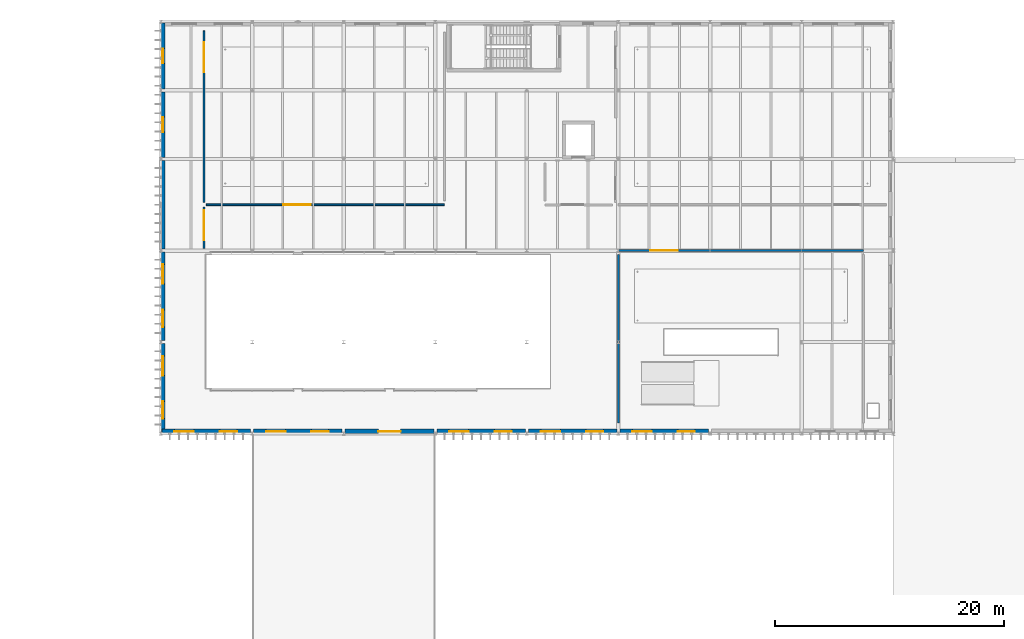
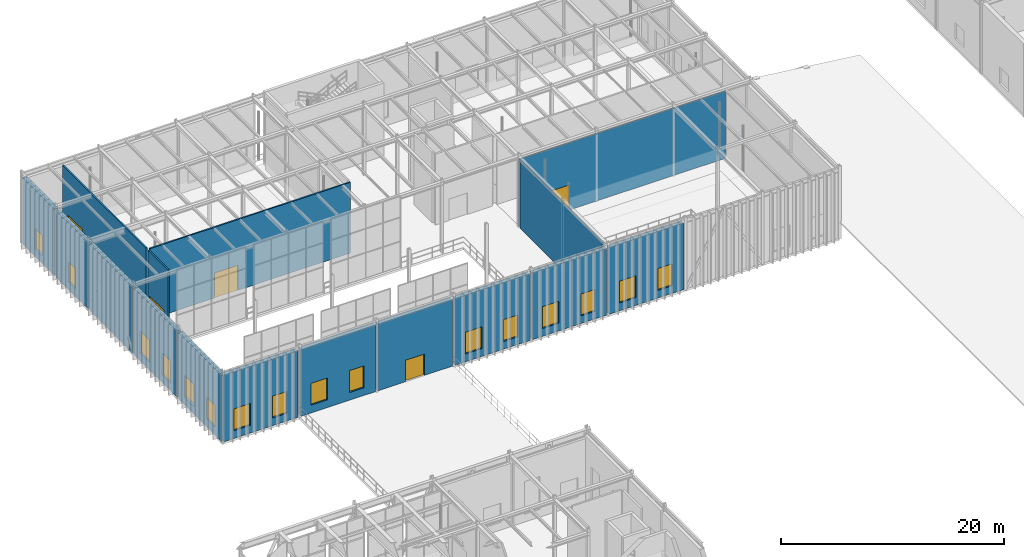
# One storey, part 92 of 138: 16 walls, 16 windows, 5 doors, 21 openings.
"""IFC4 building model written with IfcOpenShell, lengths in metres."""

from ifc_helpers import new_model, si_unit, direction, frame, frame_2d, origin, place, context, subcontext, project, spatial, rectangle, extrude, material, layer, layer_set, type_object, element, fill, save


model = new_model("IFC4")

# Units and contexts
model_context = context("Model", 3, precision=1e-05, world=origin(), true_north=direction((0.0, 1.0)))
body_context = subcontext(model_context, "Body", "Model", "MODEL_VIEW")
ifc_project = project(units=[si_unit("LENGTHUNIT", "METRE"), si_unit("AREAUNIT", "SQUARE_METRE"), si_unit("VOLUMEUNIT", "CUBIC_METRE"), si_unit("PLANEANGLEUNIT", "RADIAN"), si_unit("MASSUNIT", "GRAM", prefix="KILO")], contexts=[model_context])

# Site, building, storey
site_placement = place(None, origin())
site = spatial("IfcSite", under=ifc_project, at=site_placement, CompositionType="ELEMENT")
building_placement = place(site_placement, origin())
building = spatial("IfcBuilding", under=site, at=building_placement, Name="Sundkrona Museum", CompositionType="ELEMENT")
storey_placement = place(building_placement, frame((0.0, 0.0, 9.60009765625)))
storey = spatial("IfcBuildingStorey", under=building, at=storey_placement, Name="L02", CompositionType="ELEMENT", Elevation=9.60009765625)

# Wall, openings, windows
ifc_material_1 = material(Name="Scanian Polychrome Clay Brickwork 390 mm", Category="masonry")
ifc_layer_1 = layer(ifc_material_1, 0.389892578125)
ifc_layer_set_1 = layer_set([ifc_layer_1], Name="Scanian Polychrome Clay Brickwork 390 mm")
wall_type_1 = type_object("IfcWallType", Name="W-EX-390", PredefinedType="SOLIDWALL", material=ifc_layer_set_1)
wall_1_placement = place(storey_placement, frame((23.867919921875, 78.195068359375, 0.0), z_axis=(0.0, 0.0, 1.0), x_axis=(-1.0, 0.0, 0.0)))
wall_1 = element("IfcWall", 1, at=wall_1_placement, inside=storey, type_object=wall_type_1, Name="L02 Facade Wall 0134", PredefinedType="SOLIDWALL", context=body_context, shape_type="SweptSolid", body=[
    extrude(rectangle(XDim=7.73583984375, YDim=0.389892578125, at=frame_2d((3.867919921875, 0.0))), origin(), (0.0, 0.0, 1.0), 7.304931640625),
])
opening_1_placement = place(wall_1_placement, frame((1.18408203125, 0.0, 0.85009765625)))
opening_1 = element("IfcOpeningElement", 2, at=opening_1_placement, cuts=wall_1, Name="Opening WN-GL-150x240", PredefinedType="OPENING", context=body_context, shape_type="SweptSolid", body=[
    extrude(rectangle(XDim=1.5, YDim=2.39990234375, at=frame_2d((0.75, 1.199951171875))), frame((0.0, 0.204833984375, 0.0), z_axis=(0.0, -1.0, 0.0), x_axis=(1.0, 0.0, 0.0)), (0.0, 0.0, 1.0), 0.409912109375),
])
opening_2_placement = place(wall_1_placement, frame((4.951904296875, 0.0, 0.85009765625)))
opening_2 = element("IfcOpeningElement", 3, at=opening_2_placement, cuts=wall_1, Name="Opening WN-GL-170x240", PredefinedType="OPENING", context=body_context, shape_type="SweptSolid", body=[
    extrude(rectangle(XDim=1.699951171875, YDim=2.39990234375, at=frame_2d((0.85009765625, 1.199951171875))), frame((0.0, 0.204833984375, 0.0), z_axis=(0.0, -1.0, 0.0), x_axis=(1.0, 0.0, 0.0)), (0.0, 0.0, 1.0), 0.409912109375),
])
ifc_material_2 = material(Name="Triple Low-E Argon Glazing in Bronze-Anodised Aluminium", Category="aluminium")
window_type_1 = type_object("IfcWindowType", Name="WN-GL-150x240", PartitioningType="SINGLE_PANEL", PredefinedType="WINDOW", material=ifc_material_2)
window_1_placement = place(opening_1_placement, origin())
window_1 = element("IfcWindow", 4, at=window_1_placement, inside=storey, type_object=window_type_1, Name="L02 Finned wing deep-reveal gallery window 1500x2400 WIN-L02-0183", OverallHeight=2.39990234375, OverallWidth=1.5, PartitioningType="SINGLE_PANEL", PredefinedType="WINDOW", context=body_context, shape_type="SweptSolid", body=[
    extrude(rectangle(XDim=1.5, YDim=2.39990234375, at=frame_2d((0.75, 1.199951171875))), frame((0.0, 0.030029296875, 0.0), z_axis=(0.0, -1.0, 0.0), x_axis=(1.0, 0.0, 0.0)), (0.0, 0.0, 1.0), 0.06005859375),
])
fill(opening_1, window_1)
window_type_2 = type_object("IfcWindowType", Name="WN-GL-170x240", PartitioningType="DOUBLE_PANEL_VERTICAL", PredefinedType="WINDOW", material=ifc_material_2)
window_2_placement = place(opening_2_placement, origin())
window_2 = element("IfcWindow", 5, at=window_2_placement, inside=storey, type_object=window_type_2, Name="L02 Finned wing wide gallery window 1700x2400 WIN-L02-0184", OverallHeight=2.39990234375, OverallWidth=1.699951171875, PartitioningType="DOUBLE_PANEL_VERTICAL", PredefinedType="WINDOW", context=body_context, shape_type="SweptSolid", body=[
    extrude(rectangle(XDim=1.699951171875, YDim=2.39990234375, at=frame_2d((0.85009765625, 1.199951171875))), frame((0.0, 0.030029296875, 0.0), z_axis=(0.0, -1.0, 0.0), x_axis=(1.0, 0.0, 0.0)), (0.0, 0.0, 1.0), 0.06005859375),
])
fill(opening_2, window_2)

wall_2_placement = place(storey_placement, frame((31.867919921875, 78.195068359375, 0.0), z_axis=(0.0, 0.0, 1.0), x_axis=(-1.0, 0.0, 0.0)))
wall_2 = element("IfcWall", 6, at=wall_2_placement, inside=storey, type_object=wall_type_1, Name="L02 Facade Wall 0135", PredefinedType="SOLIDWALL", context=body_context, shape_type="SweptSolid", body=[
    extrude(rectangle(XDim=7.73583984375, YDim=0.389892578125, at=frame_2d((3.867919921875, 0.0))), origin(), (0.0, 0.0, 1.0), 7.304931640625),
])
opening_3_placement = place(wall_2_placement, frame((1.18408203125, 0.0, 0.85009765625)))
opening_3 = element("IfcOpeningElement", 7, at=opening_3_placement, cuts=wall_2, Name="Opening WN-GL-150x240", PredefinedType="OPENING", context=body_context, shape_type="SweptSolid", body=[
    extrude(rectangle(XDim=1.5, YDim=2.39990234375, at=frame_2d((0.75, 1.199951171875))), frame((0.0, 0.204833984375, 0.0), z_axis=(0.0, -1.0, 0.0), x_axis=(1.0, 0.0, 0.0)), (0.0, 0.0, 1.0), 0.409912109375),
])
opening_4_placement = place(wall_2_placement, frame((4.951904296875, 0.0, 0.85009765625)))
opening_4 = element("IfcOpeningElement", 8, at=opening_4_placement, cuts=wall_2, Name="Opening WN-GL-170x240", PredefinedType="OPENING", context=body_context, shape_type="SweptSolid", body=[
    extrude(rectangle(XDim=1.699951171875, YDim=2.39990234375, at=frame_2d((0.85009765625, 1.199951171875))), frame((0.0, 0.204833984375, 0.0), z_axis=(0.0, -1.0, 0.0), x_axis=(1.0, 0.0, 0.0)), (0.0, 0.0, 1.0), 0.409912109375),
])
window_3_placement = place(opening_3_placement, origin())
window_3 = element("IfcWindow", 9, at=window_3_placement, inside=storey, type_object=window_type_1, Name="L02 Finned wing deep-reveal gallery window 1500x2400 WIN-L02-0185", OverallHeight=2.39990234375, OverallWidth=1.5, PartitioningType="SINGLE_PANEL", PredefinedType="WINDOW", context=body_context, shape_type="SweptSolid", body=[
    extrude(rectangle(XDim=1.5, YDim=2.39990234375, at=frame_2d((0.75, 1.199951171875))), frame((0.0, 0.030029296875, 0.0), z_axis=(0.0, -1.0, 0.0), x_axis=(1.0, 0.0, 0.0)), (0.0, 0.0, 1.0), 0.06005859375),
])
fill(opening_3, window_3)
window_4_placement = place(opening_4_placement, origin())
window_4 = element("IfcWindow", 10, at=window_4_placement, inside=storey, type_object=window_type_2, Name="L02 Finned wing wide gallery window 1700x2400 WIN-L02-0186", OverallHeight=2.39990234375, OverallWidth=1.699951171875, PartitioningType="DOUBLE_PANEL_VERTICAL", PredefinedType="WINDOW", context=body_context, shape_type="SweptSolid", body=[
    extrude(rectangle(XDim=1.699951171875, YDim=2.39990234375, at=frame_2d((0.85009765625, 1.199951171875))), frame((0.0, 0.030029296875, 0.0), z_axis=(0.0, -1.0, 0.0), x_axis=(1.0, 0.0, 0.0)), (0.0, 0.0, 1.0), 0.06005859375),
])
fill(opening_4, window_4)

# Wall, opening, door
wall_3_placement = place(storey_placement, frame((39.867919921875, 78.195068359375, 0.0), z_axis=(0.0, 0.0, 1.0), x_axis=(-1.0, 0.0, 0.0)))
wall_3 = element("IfcWall", 11, at=wall_3_placement, inside=storey, type_object=wall_type_1, Name="L02 Facade Wall 0136", PredefinedType="SOLIDWALL", context=body_context, shape_type="SweptSolid", body=[
    extrude(rectangle(XDim=7.73583984375, YDim=0.389892578125, at=frame_2d((3.867919921875, 0.0))), origin(), (0.0, 0.0, 1.0), 7.304931640625),
])
opening_5_placement = place(wall_3_placement, frame((2.89306640625, 0.0, 0.0)))
opening_5 = element("IfcOpeningElement", 12, at=opening_5_placement, cuts=wall_3, Name="Opening D-TR-195", PredefinedType="OPENING", context=body_context, shape_type="SweptSolid", body=[
    extrude(rectangle(XDim=1.949951171875, YDim=2.35009765625, at=frame_2d((0.97509765625, 1.175048828125))), frame((0.0, 0.204833984375, 0.0), z_axis=(0.0, -1.0, 0.0), x_axis=(1.0, 0.0, 0.0)), (0.0, 0.0, 1.0), 0.409912109375),
])
ifc_material_3 = material(Name="Triple-Glazed Aluminium Terrace Door", Category="aluminium")
door_type_1 = type_object("IfcDoorType", Name="D-TR-195", OperationType="DOUBLE_DOOR_SINGLE_SWING", PredefinedType="DOOR", material=ifc_material_3)
door_1_placement = place(opening_5_placement, origin())
door_1 = element("IfcDoor", 13, at=door_1_placement, inside=storey, type_object=door_type_1, Name="L02 Exterior Door D-TR-195 DR-L02-TR4L", OperationType="DOUBLE_DOOR_SINGLE_SWING", OverallHeight=2.35009765625, OverallWidth=1.949951171875, PredefinedType="DOOR", context=body_context, shape_type="SweptSolid", body=[
    extrude(rectangle(XDim=1.949951171875, YDim=2.35009765625, at=frame_2d((0.97509765625, 1.175048828125))), frame((0.0, 0.02490234375, 0.0), z_axis=(0.0, -1.0, 0.0), x_axis=(1.0, 0.0, 0.0)), (0.0, 0.0, 1.0), 0.050048828125),
])
fill(opening_5, door_1)

# Wall, openings, windows
wall_4_placement = place(storey_placement, frame((47.867919921875, 78.195068359375, 0.0), z_axis=(0.0, 0.0, 1.0), x_axis=(-1.0, 0.0, 0.0)))
wall_4 = element("IfcWall", 14, at=wall_4_placement, inside=storey, type_object=wall_type_1, Name="L02 Facade Wall 0137", PredefinedType="SOLIDWALL", context=body_context, shape_type="SweptSolid", body=[
    extrude(rectangle(XDim=7.73583984375, YDim=0.389892578125, at=frame_2d((3.867919921875, 0.0))), origin(), (0.0, 0.0, 1.0), 7.304931640625),
])
opening_6_placement = place(wall_4_placement, frame((1.18408203125, 0.0, 0.85009765625)))
opening_6 = element("IfcOpeningElement", 15, at=opening_6_placement, cuts=wall_4, Name="Opening WN-GL-150x240", PredefinedType="OPENING", context=body_context, shape_type="SweptSolid", body=[
    extrude(rectangle(XDim=1.5, YDim=2.39990234375, at=frame_2d((0.75, 1.199951171875))), frame((0.0, 0.204833984375, 0.0), z_axis=(0.0, -1.0, 0.0), x_axis=(1.0, 0.0, 0.0)), (0.0, 0.0, 1.0), 0.409912109375),
])
opening_7_placement = place(wall_4_placement, frame((4.951904296875, 0.0, 0.85009765625)))
opening_7 = element("IfcOpeningElement", 16, at=opening_7_placement, cuts=wall_4, Name="Opening WN-GL-170x240", PredefinedType="OPENING", context=body_context, shape_type="SweptSolid", body=[
    extrude(rectangle(XDim=1.699951171875, YDim=2.39990234375, at=frame_2d((0.85009765625, 1.199951171875))), frame((0.0, 0.204833984375, 0.0), z_axis=(0.0, -1.0, 0.0), x_axis=(1.0, 0.0, 0.0)), (0.0, 0.0, 1.0), 0.409912109375),
])
window_5_placement = place(opening_6_placement, origin())
window_5 = element("IfcWindow", 17, at=window_5_placement, inside=storey, type_object=window_type_1, Name="L02 Finned wing deep-reveal gallery window 1500x2400 WIN-L02-0187", OverallHeight=2.39990234375, OverallWidth=1.5, PartitioningType="SINGLE_PANEL", PredefinedType="WINDOW", context=body_context, shape_type="SweptSolid", body=[
    extrude(rectangle(XDim=1.5, YDim=2.39990234375, at=frame_2d((0.75, 1.199951171875))), frame((0.0, 0.030029296875, 0.0), z_axis=(0.0, -1.0, 0.0), x_axis=(1.0, 0.0, 0.0)), (0.0, 0.0, 1.0), 0.06005859375),
])
fill(opening_6, window_5)
window_6_placement = place(opening_7_placement, origin())
window_6 = element("IfcWindow", 18, at=window_6_placement, inside=storey, type_object=window_type_2, Name="L02 Finned wing wide gallery window 1700x2400 WIN-L02-0188", OverallHeight=2.39990234375, OverallWidth=1.699951171875, PartitioningType="DOUBLE_PANEL_VERTICAL", PredefinedType="WINDOW", context=body_context, shape_type="SweptSolid", body=[
    extrude(rectangle(XDim=1.699951171875, YDim=2.39990234375, at=frame_2d((0.85009765625, 1.199951171875))), frame((0.0, 0.030029296875, 0.0), z_axis=(0.0, -1.0, 0.0), x_axis=(1.0, 0.0, 0.0)), (0.0, 0.0, 1.0), 0.06005859375),
])
fill(opening_7, window_6)

wall_5_placement = place(storey_placement, frame((55.867919921875, 78.195068359375, 0.0), z_axis=(0.0, 0.0, 1.0), x_axis=(-1.0, 0.0, 0.0)))
wall_5 = element("IfcWall", 19, at=wall_5_placement, inside=storey, type_object=wall_type_1, Name="L02 Facade Wall 0138", PredefinedType="SOLIDWALL", context=body_context, shape_type="SweptSolid", body=[
    extrude(rectangle(XDim=7.73583984375, YDim=0.389892578125, at=frame_2d((3.867919921875, 0.0))), origin(), (0.0, 0.0, 1.0), 7.304931640625),
])
opening_8_placement = place(wall_5_placement, frame((1.18408203125, 0.0, 0.85009765625)))
opening_8 = element("IfcOpeningElement", 20, at=opening_8_placement, cuts=wall_5, Name="Opening WN-GL-150x240", PredefinedType="OPENING", context=body_context, shape_type="SweptSolid", body=[
    extrude(rectangle(XDim=1.5, YDim=2.39990234375, at=frame_2d((0.75, 1.199951171875))), frame((0.0, 0.204833984375, 0.0), z_axis=(0.0, -1.0, 0.0), x_axis=(1.0, 0.0, 0.0)), (0.0, 0.0, 1.0), 0.409912109375),
])
opening_9_placement = place(wall_5_placement, frame((4.951904296875, 0.0, 0.85009765625)))
opening_9 = element("IfcOpeningElement", 21, at=opening_9_placement, cuts=wall_5, Name="Opening WN-GL-170x240", PredefinedType="OPENING", context=body_context, shape_type="SweptSolid", body=[
    extrude(rectangle(XDim=1.699951171875, YDim=2.39990234375, at=frame_2d((0.85009765625, 1.199951171875))), frame((0.0, 0.204833984375, 0.0), z_axis=(0.0, -1.0, 0.0), x_axis=(1.0, 0.0, 0.0)), (0.0, 0.0, 1.0), 0.409912109375),
])
window_7_placement = place(opening_8_placement, origin())
window_7 = element("IfcWindow", 22, at=window_7_placement, inside=storey, type_object=window_type_1, Name="L02 Finned wing deep-reveal gallery window 1500x2400 WIN-L02-0189", OverallHeight=2.39990234375, OverallWidth=1.5, PartitioningType="SINGLE_PANEL", PredefinedType="WINDOW", context=body_context, shape_type="SweptSolid", body=[
    extrude(rectangle(XDim=1.5, YDim=2.39990234375, at=frame_2d((0.75, 1.199951171875))), frame((0.0, 0.030029296875, 0.0), z_axis=(0.0, -1.0, 0.0), x_axis=(1.0, 0.0, 0.0)), (0.0, 0.0, 1.0), 0.06005859375),
])
fill(opening_8, window_7)
window_8_placement = place(opening_9_placement, origin())
window_8 = element("IfcWindow", 23, at=window_8_placement, inside=storey, type_object=window_type_2, Name="L02 Finned wing wide gallery window 1700x2400 WIN-L02-0190", OverallHeight=2.39990234375, OverallWidth=1.699951171875, PartitioningType="DOUBLE_PANEL_VERTICAL", PredefinedType="WINDOW", context=body_context, shape_type="SweptSolid", body=[
    extrude(rectangle(XDim=1.699951171875, YDim=2.39990234375, at=frame_2d((0.85009765625, 1.199951171875))), frame((0.0, 0.030029296875, 0.0), z_axis=(0.0, -1.0, 0.0), x_axis=(1.0, 0.0, 0.0)), (0.0, 0.0, 1.0), 0.06005859375),
])
fill(opening_9, window_8)

wall_6_placement = place(storey_placement, frame((63.867919921875, 78.195068359375, 0.0), z_axis=(0.0, 0.0, 1.0), x_axis=(-1.0, 0.0, 0.0)))
wall_6 = element("IfcWall", 24, at=wall_6_placement, inside=storey, type_object=wall_type_1, Name="L02 Facade Wall 0139", PredefinedType="SOLIDWALL", context=body_context, shape_type="SweptSolid", body=[
    extrude(rectangle(XDim=7.73583984375, YDim=0.389892578125, at=frame_2d((3.867919921875, 0.0))), origin(), (0.0, 0.0, 1.0), 7.304931640625),
])
opening_10_placement = place(wall_6_placement, frame((1.18408203125, 0.0, 0.85009765625)))
opening_10 = element("IfcOpeningElement", 25, at=opening_10_placement, cuts=wall_6, Name="Opening WN-GL-150x240", PredefinedType="OPENING", context=body_context, shape_type="SweptSolid", body=[
    extrude(rectangle(XDim=1.5, YDim=2.39990234375, at=frame_2d((0.75, 1.199951171875))), frame((0.0, 0.204833984375, 0.0), z_axis=(0.0, -1.0, 0.0), x_axis=(1.0, 0.0, 0.0)), (0.0, 0.0, 1.0), 0.409912109375),
])
opening_11_placement = place(wall_6_placement, frame((4.951904296875, 0.0, 0.85009765625)))
opening_11 = element("IfcOpeningElement", 26, at=opening_11_placement, cuts=wall_6, Name="Opening WN-GL-170x240", PredefinedType="OPENING", context=body_context, shape_type="SweptSolid", body=[
    extrude(rectangle(XDim=1.699951171875, YDim=2.39990234375, at=frame_2d((0.85009765625, 1.199951171875))), frame((0.0, 0.204833984375, 0.0), z_axis=(0.0, -1.0, 0.0), x_axis=(1.0, 0.0, 0.0)), (0.0, 0.0, 1.0), 0.409912109375),
])
window_9_placement = place(opening_10_placement, origin())
window_9 = element("IfcWindow", 27, at=window_9_placement, inside=storey, type_object=window_type_1, Name="L02 Finned wing deep-reveal gallery window 1500x2400 WIN-L02-0191", OverallHeight=2.39990234375, OverallWidth=1.5, PartitioningType="SINGLE_PANEL", PredefinedType="WINDOW", context=body_context, shape_type="SweptSolid", body=[
    extrude(rectangle(XDim=1.5, YDim=2.39990234375, at=frame_2d((0.75, 1.199951171875))), frame((0.0, 0.030029296875, 0.0), z_axis=(0.0, -1.0, 0.0), x_axis=(1.0, 0.0, 0.0)), (0.0, 0.0, 1.0), 0.06005859375),
])
fill(opening_10, window_9)
window_10_placement = place(opening_11_placement, origin())
window_10 = element("IfcWindow", 28, at=window_10_placement, inside=storey, type_object=window_type_2, Name="L02 Finned wing wide gallery window 1700x2400 WIN-L02-0192", OverallHeight=2.39990234375, OverallWidth=1.699951171875, PartitioningType="DOUBLE_PANEL_VERTICAL", PredefinedType="WINDOW", context=body_context, shape_type="SweptSolid", body=[
    extrude(rectangle(XDim=1.699951171875, YDim=2.39990234375, at=frame_2d((0.85009765625, 1.199951171875))), frame((0.0, 0.030029296875, 0.0), z_axis=(0.0, -1.0, 0.0), x_axis=(1.0, 0.0, 0.0)), (0.0, 0.0, 1.0), 0.06005859375),
])
fill(opening_11, window_10)

wall_7_placement = place(storey_placement, frame((16.195068359375, 78.132080078125, 0.0), z_axis=(0.0, 0.0, 1.0), x_axis=(0.0, 1.0, 0.0)))
wall_7 = element("IfcWall", 29, at=wall_7_placement, inside=storey, type_object=wall_type_1, Name="L02 Facade Wall 0142", PredefinedType="SOLIDWALL", context=body_context, shape_type="SweptSolid", body=[
    extrude(rectangle(XDim=7.73583984375, YDim=0.389892578125, at=frame_2d((3.867919921875, 0.0))), origin(), (0.0, 0.0, 1.0), 7.304931640625),
])
opening_12_placement = place(wall_7_placement, frame((1.18408203125, 0.0, 0.85009765625)))
opening_12 = element("IfcOpeningElement", 30, at=opening_12_placement, cuts=wall_7, Name="Opening WN-GL-150x240", PredefinedType="OPENING", context=body_context, shape_type="SweptSolid", body=[
    extrude(rectangle(XDim=1.5, YDim=2.39990234375, at=frame_2d((0.75, 1.199951171875))), frame((0.0, 0.204833984375, 0.0), z_axis=(0.0, -1.0, 0.0), x_axis=(1.0, 0.0, 0.0)), (0.0, 0.0, 1.0), 0.409912109375),
])
opening_13_placement = place(wall_7_placement, frame((4.951904296875, 0.0, 0.85009765625)))
opening_13 = element("IfcOpeningElement", 31, at=opening_13_placement, cuts=wall_7, Name="Opening WN-GL-170x240", PredefinedType="OPENING", context=body_context, shape_type="SweptSolid", body=[
    extrude(rectangle(XDim=1.699951171875, YDim=2.39990234375, at=frame_2d((0.85009765625, 1.199951171875))), frame((0.0, 0.204833984375, 0.0), z_axis=(0.0, -1.0, 0.0), x_axis=(1.0, 0.0, 0.0)), (0.0, 0.0, 1.0), 0.409912109375),
])
window_11_placement = place(opening_12_placement, origin())
window_11 = element("IfcWindow", 32, at=window_11_placement, inside=storey, type_object=window_type_1, Name="L02 Finned wing deep-reveal gallery window 1500x2400 WIN-L02-0195", OverallHeight=2.39990234375, OverallWidth=1.5, PartitioningType="SINGLE_PANEL", PredefinedType="WINDOW", context=body_context, shape_type="SweptSolid", body=[
    extrude(rectangle(XDim=1.5, YDim=2.39990234375, at=frame_2d((0.75, 1.199951171875))), frame((0.0, 0.030029296875, 0.0), z_axis=(0.0, -1.0, 0.0), x_axis=(1.0, 0.0, 0.0)), (0.0, 0.0, 1.0), 0.06005859375),
])
fill(opening_12, window_11)
window_12_placement = place(opening_13_placement, origin())
window_12 = element("IfcWindow", 33, at=window_12_placement, inside=storey, type_object=window_type_2, Name="L02 Finned wing wide gallery window 1700x2400 WIN-L02-0196", OverallHeight=2.39990234375, OverallWidth=1.699951171875, PartitioningType="DOUBLE_PANEL_VERTICAL", PredefinedType="WINDOW", context=body_context, shape_type="SweptSolid", body=[
    extrude(rectangle(XDim=1.699951171875, YDim=2.39990234375, at=frame_2d((0.85009765625, 1.199951171875))), frame((0.0, 0.030029296875, 0.0), z_axis=(0.0, -1.0, 0.0), x_axis=(1.0, 0.0, 0.0)), (0.0, 0.0, 1.0), 0.06005859375),
])
fill(opening_13, window_12)

wall_8_placement = place(storey_placement, frame((16.195068359375, 86.132080078125, 0.0), z_axis=(0.0, 0.0, 1.0), x_axis=(0.0, 1.0, 0.0)))
wall_8 = element("IfcWall", 34, at=wall_8_placement, inside=storey, type_object=wall_type_1, Name="L02 Facade Wall 0143", PredefinedType="SOLIDWALL", context=body_context, shape_type="SweptSolid", body=[
    extrude(rectangle(XDim=7.73583984375, YDim=0.389892578125, at=frame_2d((3.867919921875, 0.0))), origin(), (0.0, 0.0, 1.0), 7.304931640625),
])
opening_14_placement = place(wall_8_placement, frame((1.18408203125, 0.0, 0.85009765625)))
opening_14 = element("IfcOpeningElement", 35, at=opening_14_placement, cuts=wall_8, Name="Opening WN-GL-150x240", PredefinedType="OPENING", context=body_context, shape_type="SweptSolid", body=[
    extrude(rectangle(XDim=1.5, YDim=2.39990234375, at=frame_2d((0.75, 1.199951171875))), frame((0.0, 0.204833984375, 0.0), z_axis=(0.0, -1.0, 0.0), x_axis=(1.0, 0.0, 0.0)), (0.0, 0.0, 1.0), 0.409912109375),
])
opening_15_placement = place(wall_8_placement, frame((4.951904296875, 0.0, 0.85009765625)))
opening_15 = element("IfcOpeningElement", 36, at=opening_15_placement, cuts=wall_8, Name="Opening WN-GL-170x240", PredefinedType="OPENING", context=body_context, shape_type="SweptSolid", body=[
    extrude(rectangle(XDim=1.699951171875, YDim=2.39990234375, at=frame_2d((0.85009765625, 1.199951171875))), frame((0.0, 0.204833984375, 0.0), z_axis=(0.0, -1.0, 0.0), x_axis=(1.0, 0.0, 0.0)), (0.0, 0.0, 1.0), 0.409912109375),
])
window_13_placement = place(opening_14_placement, origin())
window_13 = element("IfcWindow", 37, at=window_13_placement, inside=storey, type_object=window_type_1, Name="L02 Finned wing deep-reveal gallery window 1500x2400 WIN-L02-0197", OverallHeight=2.39990234375, OverallWidth=1.5, PartitioningType="SINGLE_PANEL", PredefinedType="WINDOW", context=body_context, shape_type="SweptSolid", body=[
    extrude(rectangle(XDim=1.5, YDim=2.39990234375, at=frame_2d((0.75, 1.199951171875))), frame((0.0, 0.030029296875, 0.0), z_axis=(0.0, -1.0, 0.0), x_axis=(1.0, 0.0, 0.0)), (0.0, 0.0, 1.0), 0.06005859375),
])
fill(opening_14, window_13)
window_14_placement = place(opening_15_placement, origin())
window_14 = element("IfcWindow", 38, at=window_14_placement, inside=storey, type_object=window_type_2, Name="L02 Finned wing wide gallery window 1700x2400 WIN-L02-0198", OverallHeight=2.39990234375, OverallWidth=1.699951171875, PartitioningType="DOUBLE_PANEL_VERTICAL", PredefinedType="WINDOW", context=body_context, shape_type="SweptSolid", body=[
    extrude(rectangle(XDim=1.699951171875, YDim=2.39990234375, at=frame_2d((0.85009765625, 1.199951171875))), frame((0.0, 0.030029296875, 0.0), z_axis=(0.0, -1.0, 0.0), x_axis=(1.0, 0.0, 0.0)), (0.0, 0.0, 1.0), 0.06005859375),
])
fill(opening_15, window_14)

# Wall
wall_9_placement = place(storey_placement, frame((16.195068359375, 94.132080078125, 0.0), z_axis=(0.0, 0.0, 1.0), x_axis=(0.0, 1.0, 0.0)))
element("IfcWall", 39, at=wall_9_placement, inside=storey, type_object=wall_type_1, Name="L02 Facade Wall 0144", PredefinedType="SOLIDWALL", context=body_context, shape_type="SweptSolid", body=[
    extrude(rectangle(XDim=7.73583984375, YDim=0.389892578125, at=frame_2d((3.867919921875, 0.0))), origin(), (0.0, 0.0, 1.0), 7.304931640625),
])

# Wall, opening, window
wall_10_placement = place(storey_placement, frame((16.195068359375, 102.132080078125, 0.0), z_axis=(0.0, 0.0, 1.0), x_axis=(0.0, 1.0, 0.0)))
wall_10 = element("IfcWall", 40, at=wall_10_placement, inside=storey, type_object=wall_type_1, Name="L02 Facade Wall 0145", PredefinedType="SOLIDWALL", context=body_context, shape_type="SweptSolid", body=[
    extrude(rectangle(XDim=5.73583984375, YDim=0.389892578125, at=frame_2d((2.867919921875, 0.0))), origin(), (0.0, 0.0, 1.0), 7.304931640625),
])
opening_16_placement = place(wall_10_placement, frame((2.218017578125, 0.0, 0.85009765625)))
opening_16 = element("IfcOpeningElement", 41, at=opening_16_placement, cuts=wall_10, Name="Opening WN-GL-130x220", PredefinedType="OPENING", context=body_context, shape_type="SweptSolid", body=[
    extrude(rectangle(XDim=1.300048828125, YDim=2.199951171875, at=frame_2d((0.64990234375, 1.10009765625))), frame((0.0, 0.204833984375, 0.0), z_axis=(0.0, -1.0, 0.0), x_axis=(1.0, 0.0, 0.0)), (0.0, 0.0, 1.0), 0.409912109375),
])
window_type_3 = type_object("IfcWindowType", Name="WN-GL-130x220", PartitioningType="SINGLE_PANEL", PredefinedType="WINDOW", material=ifc_material_2)
window_15_placement = place(opening_16_placement, origin())
window_15 = element("IfcWindow", 42, at=window_15_placement, inside=storey, type_object=window_type_3, Name="L02 Cabinet gallery window 1300x2200 WIN-L02-0199", OverallHeight=2.199951171875, OverallWidth=1.300048828125, PartitioningType="SINGLE_PANEL", PredefinedType="WINDOW", context=body_context, shape_type="SweptSolid", body=[
    extrude(rectangle(XDim=1.300048828125, YDim=2.199951171875, at=frame_2d((0.64990234375, 1.10009765625))), frame((0.0, 0.030029296875, 0.0), z_axis=(0.0, -1.0, 0.0), x_axis=(1.0, 0.0, 0.0)), (0.0, 0.0, 1.0), 0.06005859375),
])
fill(opening_16, window_15)

wall_11_placement = place(storey_placement, frame((16.195068359375, 108.132080078125, 0.0), z_axis=(0.0, 0.0, 1.0), x_axis=(0.0, 1.0, 0.0)))
wall_11 = element("IfcWall", 43, at=wall_11_placement, inside=storey, type_object=wall_type_1, Name="L02 Facade Wall 0146", PredefinedType="SOLIDWALL", context=body_context, shape_type="SweptSolid", body=[
    extrude(rectangle(XDim=5.73583984375, YDim=0.389892578125, at=frame_2d((2.867919921875, 0.0))), origin(), (0.0, 0.0, 1.0), 7.304931640625),
])
opening_17_placement = place(wall_11_placement, frame((2.218017578125, 0.0, 0.85009765625)))
opening_17 = element("IfcOpeningElement", 44, at=opening_17_placement, cuts=wall_11, Name="Opening WN-GL-130x220", PredefinedType="OPENING", context=body_context, shape_type="SweptSolid", body=[
    extrude(rectangle(XDim=1.300048828125, YDim=2.199951171875, at=frame_2d((0.64990234375, 1.10009765625))), frame((0.0, 0.204833984375, 0.0), z_axis=(0.0, -1.0, 0.0), x_axis=(1.0, 0.0, 0.0)), (0.0, 0.0, 1.0), 0.409912109375),
])
window_16_placement = place(opening_17_placement, origin())
window_16 = element("IfcWindow", 45, at=window_16_placement, inside=storey, type_object=window_type_3, Name="L02 Cabinet gallery window 1300x2200 WIN-L02-0200", OverallHeight=2.199951171875, OverallWidth=1.300048828125, PartitioningType="SINGLE_PANEL", PredefinedType="WINDOW", context=body_context, shape_type="SweptSolid", body=[
    extrude(rectangle(XDim=1.300048828125, YDim=2.199951171875, at=frame_2d((0.64990234375, 1.10009765625))), frame((0.0, 0.030029296875, 0.0), z_axis=(0.0, -1.0, 0.0), x_axis=(1.0, 0.0, 0.0)), (0.0, 0.0, 1.0), 0.06005859375),
])
fill(opening_17, window_16)

# Wall, opening, door
ifc_material_4 = material(Name="Acoustic Gypsum Partition Board 150 mm", Category="other")
ifc_layer_2 = layer(ifc_material_4, 0.14990234375)
ifc_layer_set_2 = layer_set([ifc_layer_2], Name="Acoustic Gypsum Partition Board 150 mm")
wall_type_2 = type_object("IfcWallType", Name="W-PT-150", PredefinedType="PARTITIONING", material=ifc_layer_set_2)
wall_12_placement = place(storey_placement, frame((19.800048828125, 94.199951171875, 0.0), z_axis=(0.0, 0.0, 1.0), x_axis=(0.0, 1.0, 0.0)))
wall_12 = element("IfcWall", 46, at=wall_12_placement, inside=storey, type_object=wall_type_2, Name="L02 Partition North Wing Gallery Corridor / Permanent Visual Arts Gallery", PredefinedType="PARTITIONING", context=body_context, shape_type="SweptSolid", body=[
    extrude(rectangle(XDim=3.60009765625, YDim=0.14990234375, at=frame_2d((1.800048828125, 0.0))), origin(), (0.0, 0.0, 1.0), 7.760009765625),
])
opening_18_placement = place(wall_12_placement, frame((0.699951171875, 0.0, 0.0)))
opening_18 = element("IfcOpeningElement", 47, at=opening_18_placement, cuts=wall_12, Name="Opening D-GAL-260", PredefinedType="OPENING", context=body_context, shape_type="SweptSolid", body=[
    extrude(rectangle(XDim=2.60009765625, YDim=2.89990234375, at=frame_2d((1.300048828125, 1.449951171875))), frame((0.0, 0.0849609375, 0.0), z_axis=(0.0, -1.0, 0.0), x_axis=(1.0, 0.0, 0.0)), (0.0, 0.0, 1.0), 0.169921875),
])
ifc_material_5 = material(Name="European Oak and Bronze Portal", Category="other")
door_type_2 = type_object("IfcDoorType", Name="D-GAL-260", OperationType="DOUBLE_DOOR_DOUBLE_SWING", PredefinedType="DOOR", material=ifc_material_5)
door_2_placement = place(opening_18_placement, origin())
door_2 = element("IfcDoor", 48, at=door_2_placement, inside=storey, type_object=door_type_2, Name="L02 Interior Door DR-ADJ-L02-0136", OperationType="DOUBLE_DOOR_DOUBLE_SWING", OverallHeight=2.89990234375, OverallWidth=2.60009765625, PredefinedType="DOOR", context=body_context, shape_type="SweptSolid", body=[
    extrude(rectangle(XDim=2.60009765625, YDim=2.89990234375, at=frame_2d((1.300048828125, 1.449951171875))), frame((0.0, 0.02490234375, 0.0), z_axis=(0.0, -1.0, 0.0), x_axis=(1.0, 0.0, 0.0)), (0.0, 0.0, 1.0), 0.050048828125),
])
fill(opening_18, door_2)

wall_13_placement = place(storey_placement, frame((20.0, 98.0, 0.0), z_axis=(0.0, 0.0, 1.0), x_axis=(1.0, 0.0, 0.0)))
wall_13 = element("IfcWall", 49, at=wall_13_placement, inside=storey, type_object=wall_type_2, Name="L02 Partition North Wing Gallery Corridor / Modernist Sculpture Gallery", PredefinedType="PARTITIONING", context=body_context, shape_type="SweptSolid", body=[
    extrude(rectangle(XDim=20.800048828125, YDim=0.14990234375, at=frame_2d((10.39990234375, 0.0))), origin(), (0.0, 0.0, 1.0), 7.760009765625),
])
opening_19_placement = place(wall_13_placement, frame((6.7080078125, 0.0, 0.0)))
opening_19 = element("IfcOpeningElement", 50, at=opening_19_placement, cuts=wall_13, Name="Opening D-GAL-240", PredefinedType="OPENING", context=body_context, shape_type="SweptSolid", body=[
    extrude(rectangle(XDim=2.39990234375, YDim=2.75, at=frame_2d((1.199951171875, 1.375))), frame((0.0, 0.0849609375, 0.0), z_axis=(0.0, -1.0, 0.0), x_axis=(1.0, 0.0, 0.0)), (0.0, 0.0, 1.0), 0.169921875),
])
door_type_3 = type_object("IfcDoorType", Name="D-GAL-240", OperationType="DOUBLE_DOOR_DOUBLE_SWING", PredefinedType="DOOR", material=ifc_material_5)
door_3_placement = place(opening_19_placement, origin())
door_3 = element("IfcDoor", 51, at=door_3_placement, inside=storey, type_object=door_type_3, Name="L02 Interior Door DR-ADJ-L02-0137", OperationType="DOUBLE_DOOR_DOUBLE_SWING", OverallHeight=2.75, OverallWidth=2.39990234375, PredefinedType="DOOR", context=body_context, shape_type="SweptSolid", body=[
    extrude(rectangle(XDim=2.39990234375, YDim=2.75, at=frame_2d((1.199951171875, 1.375))), frame((0.0, 0.02490234375, 0.0), z_axis=(0.0, -1.0, 0.0), x_axis=(1.0, 0.0, 0.0)), (0.0, 0.0, 1.0), 0.050048828125),
])
fill(opening_19, door_3)

wall_14_placement = place(storey_placement, frame((56.0, 94.0, 0.0), z_axis=(0.0, 0.0, 1.0), x_axis=(1.0, 0.0, 0.0)))
wall_14 = element("IfcWall", 52, at=wall_14_placement, inside=storey, type_object=wall_type_2, Name="L02 Partition North Wing Gallery Corridor / Temporary Exhibition Hall", PredefinedType="PARTITIONING", context=body_context, shape_type="SweptSolid", body=[
    extrude(rectangle(XDim=21.39990234375, YDim=0.14990234375, at=frame_2d((10.699951171875, 0.0))), origin(), (0.0, 0.0, 1.0), 7.369873046875),
])
opening_20_placement = place(wall_14_placement, frame((2.77685546875, 0.0, 0.0)))
opening_20 = element("IfcOpeningElement", 53, at=opening_20_placement, cuts=wall_14, Name="Opening D-GAL-240", PredefinedType="OPENING", context=body_context, shape_type="SweptSolid", body=[
    extrude(rectangle(XDim=2.39990234375, YDim=2.75, at=frame_2d((1.199951171875, 1.375))), frame((0.0, 0.0849609375, 0.0), z_axis=(0.0, -1.0, 0.0), x_axis=(1.0, 0.0, 0.0)), (0.0, 0.0, 1.0), 0.169921875),
])
door_4_placement = place(opening_20_placement, origin())
door_4 = element("IfcDoor", 54, at=door_4_placement, inside=storey, type_object=door_type_3, Name="L02 Interior Door DR-ADJ-L02-0138", OperationType="DOUBLE_DOOR_DOUBLE_SWING", OverallHeight=2.75, OverallWidth=2.39990234375, PredefinedType="DOOR", context=body_context, shape_type="SweptSolid", body=[
    extrude(rectangle(XDim=2.39990234375, YDim=2.75, at=frame_2d((1.199951171875, 1.375))), frame((0.0, 0.02490234375, 0.0), z_axis=(0.0, -1.0, 0.0), x_axis=(1.0, 0.0, 0.0)), (0.0, 0.0, 1.0), 0.050048828125),
])
fill(opening_20, door_4)

wall_15_placement = place(storey_placement, frame((19.800048828125, 98.199951171875, 0.0), z_axis=(0.0, 0.0, 1.0), x_axis=(0.0, 1.0, 0.0)))
wall_15 = element("IfcWall", 55, at=wall_15_placement, inside=storey, type_object=wall_type_2, Name="L02 Partition Permanent Visual Arts Gallery / Modernist Sculpture Gallery", PredefinedType="PARTITIONING", context=body_context, shape_type="SweptSolid", body=[
    extrude(rectangle(XDim=15.0, YDim=0.14990234375, at=frame_2d((7.5, 0.0))), origin(), (0.0, 0.0, 1.0), 7.760009765625),
])
opening_21_placement = place(wall_15_placement, frame((11.384765625, 0.0, 0.0)))
opening_21 = element("IfcOpeningElement", 56, at=opening_21_placement, cuts=wall_15, Name="Opening D-GAL-260", PredefinedType="OPENING", context=body_context, shape_type="SweptSolid", body=[
    extrude(rectangle(XDim=2.60009765625, YDim=2.89990234375, at=frame_2d((1.300048828125, 1.449951171875))), frame((0.0, 0.0849609375, 0.0), z_axis=(0.0, -1.0, 0.0), x_axis=(1.0, 0.0, 0.0)), (0.0, 0.0, 1.0), 0.169921875),
])
door_5_placement = place(opening_21_placement, origin())
door_5 = element("IfcDoor", 57, at=door_5_placement, inside=storey, type_object=door_type_2, Name="L02 Interior Door DR-ADJ-L02-0144", OperationType="DOUBLE_DOOR_DOUBLE_SWING", OverallHeight=2.89990234375, OverallWidth=2.60009765625, PredefinedType="DOOR", context=body_context, shape_type="SweptSolid", body=[
    extrude(rectangle(XDim=2.60009765625, YDim=2.89990234375, at=frame_2d((1.300048828125, 1.449951171875))), frame((0.0, 0.02490234375, 0.0), z_axis=(0.0, -1.0, 0.0), x_axis=(1.0, 0.0, 0.0)), (0.0, 0.0, 1.0), 0.050048828125),
])
fill(opening_21, door_5)

# Wall
wall_16_placement = place(storey_placement, frame((56.0, 78.949951171875, 0.0), z_axis=(0.0, 0.0, 1.0), x_axis=(0.0, 1.0, 0.0)))
element("IfcWall", 58, at=wall_16_placement, inside=storey, type_object=wall_type_2, Name="L02 Temporary Exhibition Hall Enclosure Wall W", PredefinedType="PARTITIONING", context=body_context, shape_type="SweptSolid", body=[
    extrude(rectangle(XDim=14.699951171875, YDim=0.14990234375, at=frame_2d((7.35009765625, 0.0))), origin(), (0.0, 0.0, 1.0), 7.369873046875),
])

save(model, "model.ifc")
